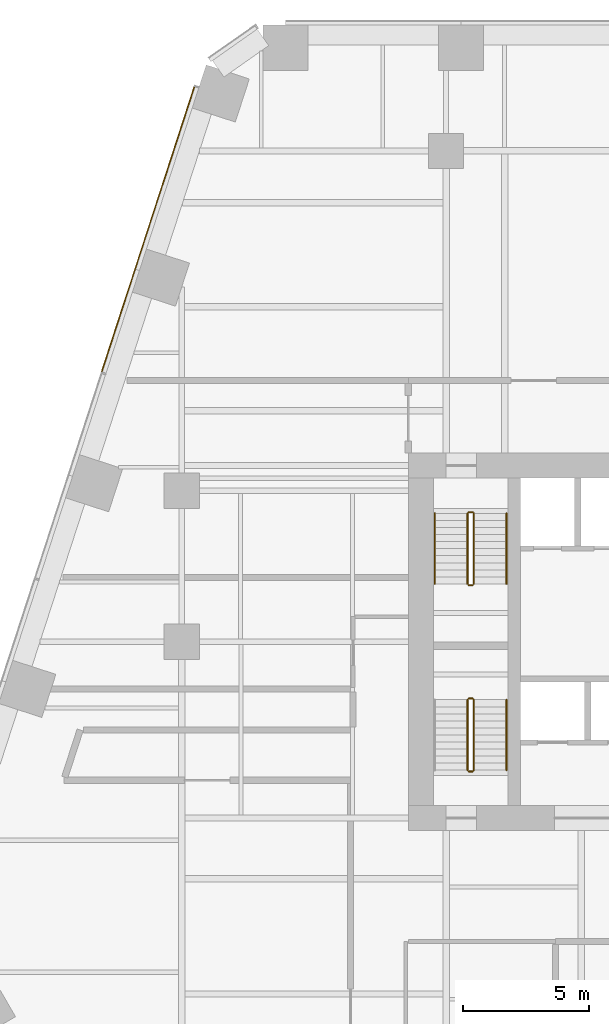
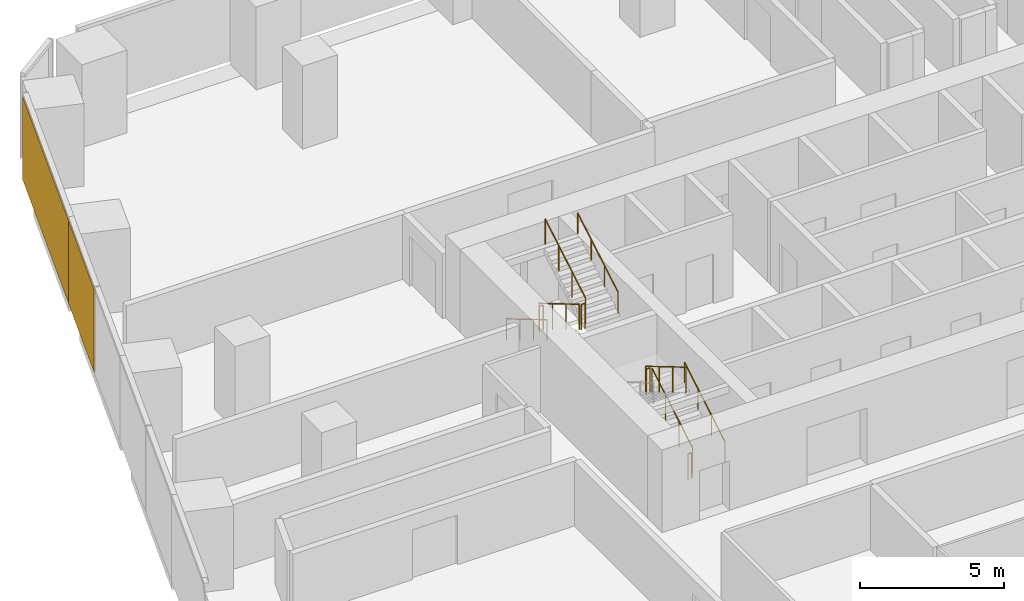
# One storey, part 19 of 21: 11 railings, 2 coverings, 1 element without a shape of its own.
"""IFC4 building model written with IfcOpenShell, lengths in metres."""

from ifc_helpers import new_model, si_unit, direction, frame, origin, origin_2d, place, context, subcontext, project, spatial, rectangle, circle, extrude, material, layer, layer_set, type_object, element, aggregate, save


model = new_model("IFC4")

# Units and contexts
model_context = context("Model", 3, precision=1e-05, world=origin(), true_north=direction((0.0, 1.0)))
body_context = subcontext(model_context, "Body", "Model", "MODEL_VIEW")
ifc_project = project(units=[si_unit("LENGTHUNIT", "METRE"), si_unit("AREAUNIT", "SQUARE_METRE"), si_unit("VOLUMEUNIT", "CUBIC_METRE"), si_unit("PLANEANGLEUNIT", "RADIAN"), si_unit("MASSUNIT", "GRAM", prefix="KILO")], contexts=[model_context])

# Site, building, storey
site_placement = place(None, origin())
site = spatial("IfcSite", under=ifc_project, at=site_placement, CompositionType="ELEMENT")
building_placement = place(site_placement, origin())
building = spatial("IfcBuilding", under=site, at=building_placement, Name="Isthmus Gate Tower", CompositionType="ELEMENT")
storey_placement = place(building_placement, frame((0.0, 0.0, 46.949951171875)))
storey = spatial("IfcBuildingStorey", under=building, at=storey_placement, Name="L09", CompositionType="ELEMENT", Elevation=46.949951171875)

# Curtain wall, coverings
ifc_material_1 = material(Name="Aluminium, pale champagne anodised", Category="aluminium")
ifc_layer_1 = layer(ifc_material_1, 0.199951171875)
ifc_layer_set_1 = layer_set([ifc_layer_1], Name="CW-1 UNITISED CURTAIN WALL 200 DEEP")
curtain_wall_type = type_object("IfcCurtainWallType", Name="CW-1 UNITISED CURTAIN WALL 200 DEEP", PredefinedType="NOTDEFINED", material=ifc_layer_set_1)
curtain_wall_placement = place(storey_placement, origin())
curtain_wall = element("IfcCurtainWall", 1, at=curtain_wall_placement, inside=storey, type_object=curtain_wall_type, Name="CW-1 NW L09", PredefinedType="NOTDEFINED")
ifc_material_2 = material(Name="Aluminium composite panel, pale champagne anodised", Category="aluminium")
ifc_layer_2 = layer(ifc_material_2, 0.0400390625)
ifc_layer_set_2 = layer_set([ifc_layer_2], Name="CW-1 PALE METAL PANEL 40")
covering_type = type_object("IfcCoveringType", Name="CW-1 PALE METAL PANEL 40", PredefinedType="CLADDING", material=ifc_layer_set_2)
covering_1_placement = place(storey_placement, frame((-24.67578125, 25.9296875, 0.0), z_axis=(0.0, 0.0, 1.0), x_axis=(-0.309016994375, -0.951056516295, 0.0)))
covering_1 = element("IfcCovering", 2, at=covering_1_placement, type_object=covering_type, Name="CW-1 pale metal panel", PredefinedType="CLADDING", context=body_context, shape_type="SweptSolid", body=[
    extrude(rectangle(XDim=7.62939453125, YDim=0.0400390625, at=origin_2d()), origin(), (0.0, 0.0, 1.0), 3.5),
])
covering_2_placement = place(storey_placement, frame((-26.51806640625, 20.25927734375, 0.0), z_axis=(0.0, 0.0, 1.0), x_axis=(-0.309016994375, -0.951056516295, 0.0)))
covering_2 = element("IfcCovering", 3, at=covering_2_placement, type_object=covering_type, Name="CW-1 pale metal panel", PredefinedType="CLADDING", context=body_context, shape_type="SweptSolid", body=[
    extrude(rectangle(XDim=4.294677734375, YDim=0.0400390625, at=origin_2d()), origin(), (0.0, 0.0, 1.0), 3.5),
])
aggregate(curtain_wall, [covering_1, covering_2])

# Railings
ifc_material_3 = material(Name="Stainless steel balustrade", Category="steel")
railing_type_1 = type_object("IfcRailingType", Name="STAIR GUARD 1100", PredefinedType="GUARDRAIL", material=ifc_material_3)
railing_1_placement = place(storey_placement, frame((-12.64990234375, 12.60009765625, 0.166015625)))
element("IfcRailing", 4, at=railing_1_placement, inside=storey, type_object=railing_type_1, Name="L09 ST1 stair guard 1", PredefinedType="GUARDRAIL", context=body_context, shape_type="SweptSolid", body=[
    extrude(circle(Radius=0.02392578125, at=origin_2d()), frame((0.0, 0.0, 1.076171875), z_axis=(0.0, -0.860339051648, 0.50972219513), x_axis=(1.0, 0.0, 0.0)), (0.0, 0.0, 1.0), 3.254638671875),
    extrude(circle(Radius=0.02099609375, at=origin_2d()), origin(), (0.0, 0.0, 1.0), 1.052001953125),
    extrude(circle(Radius=0.02099609375, at=origin_2d()), frame((0.0, -0.933349609375, 0.552978515625)), (0.0, 0.0, 1.0), 1.052001953125),
    extrude(circle(Radius=0.02099609375, at=origin_2d()), frame((0.0, -1.86669921875, 1.10595703125)), (0.0, 0.0, 1.0), 1.052001953125),
    extrude(circle(Radius=0.02099609375, at=origin_2d()), frame((0.0, -2.800048828125, 1.658935546875)), (0.0, 0.0, 1.0), 1.052001953125),
])
railing_2_placement = place(storey_placement, frame((-12.60009765625, 9.75, 1.824951171875)))
element("IfcRailing", 5, at=railing_2_placement, inside=storey, type_object=railing_type_1, Name="L09 ST1 stair guard 2", PredefinedType="GUARDRAIL", context=body_context, shape_type="SweptSolid", body=[
    extrude(circle(Radius=0.02392578125, at=origin_2d()), frame((0.0, 0.0, 1.076171875), z_axis=(1.0, 0.0, 0.0), x_axis=(0.0, 1.0, 0.0)), (0.0, 0.0, 1.0), 0.150146484375),
    extrude(circle(Radius=0.02099609375, at=origin_2d()), origin(), (0.0, 0.0, 1.0), 1.052001953125),
    extrude(circle(Radius=0.02099609375, at=origin_2d()), frame((0.150146484375, 0.0, 0.0)), (0.0, 0.0, 1.0), 1.052001953125),
])
railing_3_placement = place(storey_placement, frame((-12.39990234375, 9.800048828125, 1.990966796875)))
element("IfcRailing", 6, at=railing_3_placement, inside=storey, type_object=railing_type_1, Name="L09 ST1 stair guard 3", PredefinedType="GUARDRAIL", context=body_context, shape_type="SweptSolid", body=[
    extrude(circle(Radius=0.02392578125, at=origin_2d()), frame((0.0, 0.0, 1.076171875), z_axis=(0.0, 0.860306154799, 0.50977771628), x_axis=(-1.0, 0.0, 0.0)), (0.0, 0.0, 1.0), 3.254638671875),
    extrude(circle(Radius=0.02099609375, at=origin_2d()), origin(), (0.0, 0.0, 1.0), 1.052001953125),
    extrude(circle(Radius=0.02099609375, at=origin_2d()), frame((0.0, 0.933349609375, 0.552978515625)), (0.0, 0.0, 1.0), 1.052001953125),
    extrude(circle(Radius=0.02099609375, at=origin_2d()), frame((0.0, 1.86669921875, 1.106201171875)), (0.0, 0.0, 1.0), 1.052001953125),
    extrude(circle(Radius=0.02099609375, at=origin_2d()), frame((0.0, 2.800048828125, 1.6591796875)), (0.0, 0.0, 1.0), 1.052001953125),
])
railing_4_placement = place(storey_placement, frame((-12.60009765625, 12.64990234375, 0.0)))
element("IfcRailing", 7, at=railing_4_placement, inside=storey, type_object=railing_type_1, Name="L09 ST1 stair guard 4", PredefinedType="GUARDRAIL", context=body_context, shape_type="SweptSolid", body=[
    extrude(circle(Radius=0.02392578125, at=origin_2d()), frame((0.0, 0.0, 1.076171875), z_axis=(1.0, 0.0, 0.0), x_axis=(0.0, 1.0, 0.0)), (0.0, 0.0, 1.0), 0.150146484375),
    extrude(circle(Radius=0.02099609375, at=origin_2d()), origin(), (0.0, 0.0, 1.0), 1.052001953125),
    extrude(circle(Radius=0.02099609375, at=origin_2d()), frame((0.150146484375, 0.0, 0.0)), (0.0, 0.0, 1.0), 1.052001953125),
])
railing_5_placement = place(storey_placement, frame((-12.39990234375, 2.39990234375, 0.166015625)))
element("IfcRailing", 8, at=railing_5_placement, inside=storey, type_object=railing_type_1, Name="L09 ST7 stair guard 1", PredefinedType="GUARDRAIL", context=body_context, shape_type="SweptSolid", body=[
    extrude(circle(Radius=0.02392578125, at=origin_2d()), frame((0.0, 0.0, 1.076171875), z_axis=(0.0, 0.860339051648, 0.50972219513), x_axis=(-1.0, 0.0, 0.0)), (0.0, 0.0, 1.0), 3.254638671875),
    extrude(circle(Radius=0.02099609375, at=origin_2d()), origin(), (0.0, 0.0, 1.0), 1.052001953125),
    extrude(circle(Radius=0.02099609375, at=origin_2d()), frame((0.0, 0.933349609375, 0.552978515625)), (0.0, 0.0, 1.0), 1.052001953125),
    extrude(circle(Radius=0.02099609375, at=origin_2d()), frame((0.0, 1.86669921875, 1.10595703125)), (0.0, 0.0, 1.0), 1.052001953125),
    extrude(circle(Radius=0.02099609375, at=origin_2d()), frame((0.0, 2.800048828125, 1.658935546875)), (0.0, 0.0, 1.0), 1.052001953125),
])
railing_6_placement = place(storey_placement, frame((-12.449951171875, 5.25, 1.824951171875)))
element("IfcRailing", 9, at=railing_6_placement, inside=storey, type_object=railing_type_1, Name="L09 ST7 stair guard 2", PredefinedType="GUARDRAIL", context=body_context, shape_type="SweptSolid", body=[
    extrude(circle(Radius=0.02392578125, at=origin_2d()), frame((0.0, 0.0, 1.076171875), z_axis=(-1.0, 0.0, 0.0), x_axis=(0.0, -1.0, 0.0)), (0.0, 0.0, 1.0), 0.150146484375),
    extrude(circle(Radius=0.02099609375, at=origin_2d()), origin(), (0.0, 0.0, 1.0), 1.052001953125),
    extrude(circle(Radius=0.02099609375, at=origin_2d()), frame((-0.150146484375, 0.0, 0.0)), (0.0, 0.0, 1.0), 1.052001953125),
])
railing_7_placement = place(storey_placement, frame((-12.64990234375, 5.199951171875, 1.990966796875)))
element("IfcRailing", 10, at=railing_7_placement, inside=storey, type_object=railing_type_1, Name="L09 ST7 stair guard 3", PredefinedType="GUARDRAIL", context=body_context, shape_type="SweptSolid", body=[
    extrude(circle(Radius=0.02392578125, at=origin_2d()), frame((0.0, 0.0, 1.076171875), z_axis=(0.0, -0.860306154799, 0.50977771628), x_axis=(1.0, 0.0, 0.0)), (0.0, 0.0, 1.0), 3.254638671875),
    extrude(circle(Radius=0.02099609375, at=origin_2d()), origin(), (0.0, 0.0, 1.0), 1.052001953125),
    extrude(circle(Radius=0.02099609375, at=origin_2d()), frame((0.0, -0.933349609375, 0.552978515625)), (0.0, 0.0, 1.0), 1.052001953125),
    extrude(circle(Radius=0.02099609375, at=origin_2d()), frame((0.0, -1.86669921875, 1.106201171875)), (0.0, 0.0, 1.0), 1.052001953125),
    extrude(circle(Radius=0.02099609375, at=origin_2d()), frame((0.0, -2.800048828125, 1.6591796875)), (0.0, 0.0, 1.0), 1.052001953125),
])
railing_8_placement = place(storey_placement, frame((-12.449951171875, 2.35009765625, 0.0)))
element("IfcRailing", 11, at=railing_8_placement, inside=storey, type_object=railing_type_1, Name="L09 ST7 stair guard 4", PredefinedType="GUARDRAIL", context=body_context, shape_type="SweptSolid", body=[
    extrude(circle(Radius=0.02392578125, at=origin_2d()), frame((0.0, 0.0, 1.076171875), z_axis=(-1.0, 0.0, 0.0), x_axis=(0.0, -1.0, 0.0)), (0.0, 0.0, 1.0), 0.150146484375),
    extrude(circle(Radius=0.02099609375, at=origin_2d()), origin(), (0.0, 0.0, 1.0), 1.052001953125),
    extrude(circle(Radius=0.02099609375, at=origin_2d()), frame((-0.150146484375, 0.0, 0.0)), (0.0, 0.0, 1.0), 1.052001953125),
])
ifc_material_4 = material(Name="Stainless steel handrail", Category="steel")
railing_type_2 = type_object("IfcRailingType", Name="STAIR HANDRAIL 900", PredefinedType="HANDRAIL", material=ifc_material_4)
railing_9_placement = place(storey_placement, frame((-13.949951171875, 12.60009765625, 0.166015625)))
element("IfcRailing", 12, at=railing_9_placement, inside=storey, type_object=railing_type_2, Name="L09 ST1 stair handrail 1", PredefinedType="HANDRAIL", context=body_context, shape_type="SweptSolid", body=[
    extrude(circle(Radius=0.02392578125, at=origin_2d()), frame((0.0, 0.0, 0.8759765625), z_axis=(0.0, -0.860339051648, 0.50972219513), x_axis=(1.0, 0.0, 0.0)), (0.0, 0.0, 1.0), 3.254638671875),
    extrude(circle(Radius=0.02099609375, at=origin_2d()), origin(), (0.0, 0.0, 1.0), 0.851806640625),
    extrude(circle(Radius=0.02099609375, at=origin_2d()), frame((0.0, -0.933349609375, 0.552978515625)), (0.0, 0.0, 1.0), 0.851806640625),
    extrude(circle(Radius=0.02099609375, at=origin_2d()), frame((0.0, -1.86669921875, 1.10595703125)), (0.0, 0.0, 1.0), 0.851806640625),
    extrude(circle(Radius=0.02099609375, at=origin_2d()), frame((0.0, -2.800048828125, 1.658935546875)), (0.0, 0.0, 1.0), 0.851806640625),
])
railing_10_placement = place(storey_placement, frame((-11.10009765625, 9.800048828125, 1.990966796875)))
element("IfcRailing", 13, at=railing_10_placement, inside=storey, type_object=railing_type_2, Name="L09 ST1 stair handrail 2", PredefinedType="HANDRAIL", context=body_context, shape_type="SweptSolid", body=[
    extrude(circle(Radius=0.02392578125, at=origin_2d()), frame((0.0, 0.0, 0.8759765625), z_axis=(0.0, 0.860306154799, 0.50977771628), x_axis=(-1.0, 0.0, 0.0)), (0.0, 0.0, 1.0), 3.254638671875),
    extrude(circle(Radius=0.02099609375, at=origin_2d()), origin(), (0.0, 0.0, 1.0), 0.851806640625),
    extrude(circle(Radius=0.02099609375, at=origin_2d()), frame((0.0, 0.933349609375, 0.552978515625)), (0.0, 0.0, 1.0), 0.851806640625),
    extrude(circle(Radius=0.02099609375, at=origin_2d()), frame((0.0, 1.86669921875, 1.106201171875)), (0.0, 0.0, 1.0), 0.851806640625),
    extrude(circle(Radius=0.02099609375, at=origin_2d()), frame((0.0, 2.800048828125, 1.6591796875)), (0.0, 0.0, 1.0), 0.851806640625),
])
railing_11_placement = place(storey_placement, frame((-11.10009765625, 2.39990234375, 0.166015625)))
element("IfcRailing", 14, at=railing_11_placement, inside=storey, type_object=railing_type_2, Name="L09 ST7 stair handrail 1", PredefinedType="HANDRAIL", context=body_context, shape_type="SweptSolid", body=[
    extrude(circle(Radius=0.02392578125, at=origin_2d()), frame((0.0, 0.0, 0.8759765625), z_axis=(0.0, 0.860339051648, 0.50972219513), x_axis=(-1.0, 0.0, 0.0)), (0.0, 0.0, 1.0), 3.254638671875),
    extrude(circle(Radius=0.02099609375, at=origin_2d()), origin(), (0.0, 0.0, 1.0), 0.851806640625),
    extrude(circle(Radius=0.02099609375, at=origin_2d()), frame((0.0, 0.933349609375, 0.552978515625)), (0.0, 0.0, 1.0), 0.851806640625),
    extrude(circle(Radius=0.02099609375, at=origin_2d()), frame((0.0, 1.86669921875, 1.10595703125)), (0.0, 0.0, 1.0), 0.851806640625),
    extrude(circle(Radius=0.02099609375, at=origin_2d()), frame((0.0, 2.800048828125, 1.658935546875)), (0.0, 0.0, 1.0), 0.851806640625),
])

save(model, "model.ifc")
